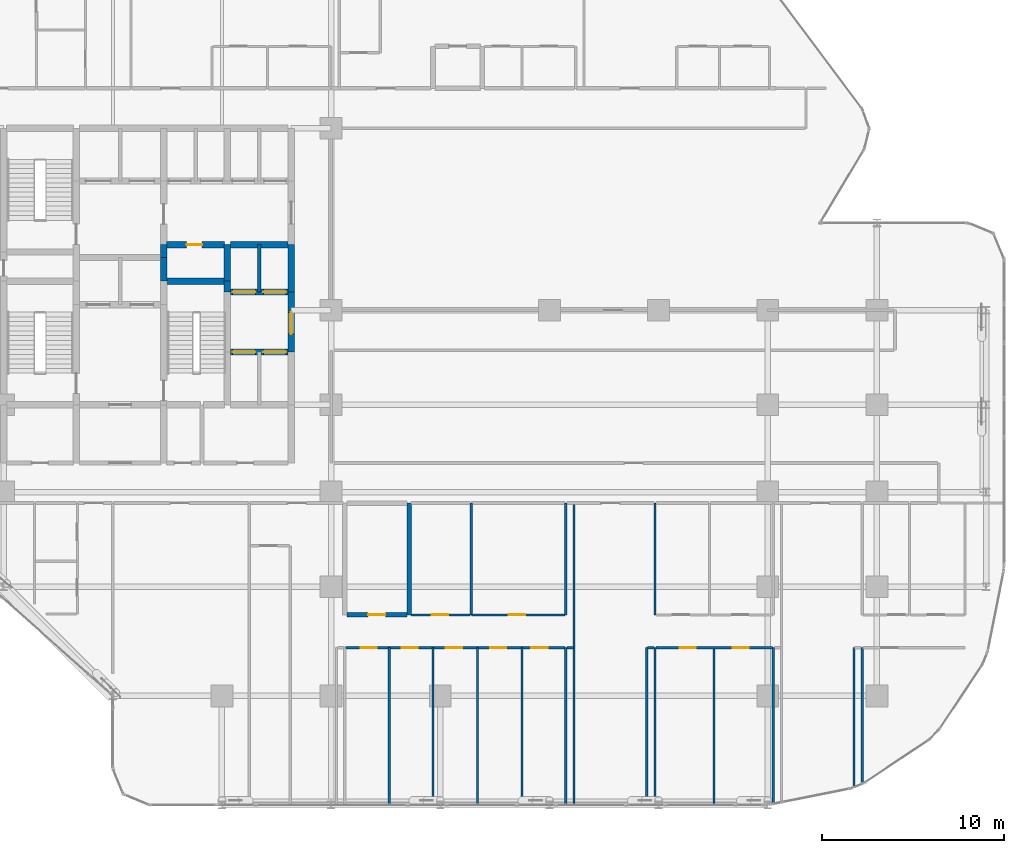
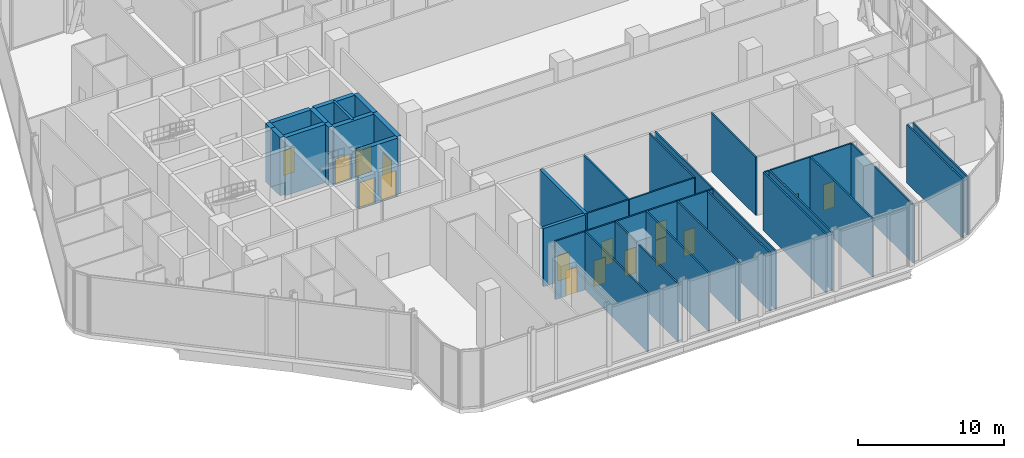
# One storey, part 31 of 36: 35 walls, 16 doors, 16 openings.
"""IFC4 building model written with IfcOpenShell, lengths in metres."""

from ifc_helpers import new_model, si_unit, direction, frame, frame_2d, origin, place, context, subcontext, project, spatial, rectangle, extrude, material, layer, layer_set, type_object, element, fill, save


model = new_model("IFC4")

# Units and contexts
model_context = context("Model", 3, precision=1e-05, world=origin(), true_north=direction((0.0, 1.0)))
body_context = subcontext(model_context, "Body", "Model", "MODEL_VIEW")
ifc_project = project(units=[si_unit("LENGTHUNIT", "METRE"), si_unit("AREAUNIT", "SQUARE_METRE"), si_unit("VOLUMEUNIT", "CUBIC_METRE"), si_unit("PLANEANGLEUNIT", "RADIAN"), si_unit("MASSUNIT", "GRAM", prefix="KILO")], contexts=[model_context])

# Site, building, storey
site_placement = place(None, origin())
site = spatial("IfcSite", under=ifc_project, at=site_placement, CompositionType="ELEMENT")
building_placement = place(site_placement, origin())
building = spatial("IfcBuilding", under=site, at=building_placement, Name="Keshet Zoharim Tower", CompositionType="ELEMENT")
storey_placement = place(building_placement, frame((0.0, 0.0, 81.199951171875)))
storey = spatial("IfcBuildingStorey", under=building, at=storey_placement, Name="L19", CompositionType="ELEMENT", Elevation=81.199951171875)

# Walls
ifc_material_1 = material(Name="Concrete C60/75", Category="concrete")
ifc_layer_1 = layer(ifc_material_1, 0.35009765625)
ifc_layer_set_1 = layer_set([ifc_layer_1], Name="Concrete C60/75")
wall_type_1 = type_object("IfcWallType", Name="WL-CORE-350", PredefinedType="SHEAR", material=ifc_layer_set_1)
wall_1_placement = place(storey_placement, frame((23.800048828125, 29.5, 0.0), z_axis=(0.0, 0.0, 1.0), x_axis=(0.0, 1.0, 0.0)))
element("IfcWall", 1, at=wall_1_placement, inside=storey, type_object=wall_type_1, Name="L19 Core Shear Wall 037", PredefinedType="SHEAR", context=body_context, shape_type="SweptSolid", body=[
    extrude(rectangle(XDim=1.300048828125, YDim=0.35009765625, at=frame_2d((0.64990234375, 0.0))), origin(), (0.0, 0.0, 1.0), 4.885009765625),
])
wall_2_placement = place(storey_placement, frame((23.800048828125, 30.800048828125, 0.0), z_axis=(0.0, 0.0, 1.0), x_axis=(0.0, 1.0, 0.0)))
element("IfcWall", 2, at=wall_2_placement, inside=storey, type_object=wall_type_1, Name="L19 Core Shear Wall 038", PredefinedType="SHEAR", context=body_context, shape_type="SweptSolid", body=[
    extrude(rectangle(XDim=0.699951171875, YDim=0.35009765625, at=frame_2d((0.35009765625, 0.0))), origin(), (0.0, 0.0, 1.0), 4.885009765625),
])
wall_3_placement = place(storey_placement, frame((27.300048828125, 28.89990234375, 0.0), z_axis=(0.0, 0.0, 1.0), x_axis=(0.0, 1.0, 0.0)))
element("IfcWall", 3, at=wall_3_placement, inside=storey, type_object=wall_type_1, Name="L19 Core Shear Wall 048", PredefinedType="SHEAR", context=body_context, shape_type="SweptSolid", body=[
    extrude(rectangle(XDim=0.60009765625, YDim=0.35009765625, at=frame_2d((0.300048828125, 0.0))), origin(), (0.0, 0.0, 1.0), 4.885009765625),
])
wall_4_placement = place(storey_placement, frame((27.300048828125, 29.5, 0.0), z_axis=(0.0, 0.0, 1.0), x_axis=(0.0, 1.0, 0.0)))
element("IfcWall", 4, at=wall_4_placement, inside=storey, type_object=wall_type_1, Name="L19 Core Shear Wall 049", PredefinedType="SHEAR", context=body_context, shape_type="SweptSolid", body=[
    extrude(rectangle(XDim=2.0, YDim=0.35009765625, at=frame_2d((1.0, 0.0))), origin(), (0.0, 0.0, 1.0), 4.885009765625),
])

# Wall, opening, door
wall_5_placement = place(storey_placement, frame((30.800048828125, 25.60009765625, 0.0), z_axis=(0.0, 0.0, 1.0), x_axis=(0.0, 1.0, 0.0)))
wall_5 = element("IfcWall", 5, at=wall_5_placement, inside=storey, type_object=wall_type_1, Name="L19 Core Shear Wall 061", PredefinedType="SHEAR", context=body_context, shape_type="SweptSolid", body=[
    extrude(rectangle(XDim=3.2998046875, YDim=0.35009765625, at=frame_2d((1.64990234375, 0.0))), origin(), (0.0, 0.0, 1.0), 4.885009765625),
])
opening_1_placement = place(wall_5_placement, frame((0.97802734375, 0.0, 0.0)))
opening_1 = element("IfcOpeningElement", 6, at=opening_1_placement, cuts=wall_5, Name="Opening D-F612", PredefinedType="OPENING", context=body_context, shape_type="SweptSolid", body=[
    extrude(rectangle(XDim=1.199951171875, YDim=2.199951171875, at=frame_2d((0.60009765625, 1.10009765625))), frame((0.0, 0.18505859375, 0.0), z_axis=(0.0, -1.0, 0.0), x_axis=(1.0, 0.0, 0.0)), (0.0, 0.0, 1.0), 0.3701171875),
])
ifc_material_2 = material(Name="Hardwood Timber", Category="wood")
door_type_1 = type_object("IfcDoorType", Name="DR-FD60-120", OperationType="NOTDEFINED", PredefinedType="DOOR", material=ifc_material_2)
door_1_placement = place(opening_1_placement, origin())
door_1 = element("IfcDoor", 7, at=door_1_placement, inside=storey, type_object=door_type_1, Name="L19 East Lift Lobby Fire Door", OperationType="SINGLE_SWING_LEFT", OverallHeight=2.199951171875, OverallWidth=1.199951171875, PredefinedType="DOOR", context=body_context, shape_type="SweptSolid", body=[
    extrude(rectangle(XDim=1.199951171875, YDim=2.199951171875, at=frame_2d((0.60009765625, 1.10009765625))), frame((0.0, 0.02490234375, 0.0), z_axis=(0.0, -1.0, 0.0), x_axis=(1.0, 0.0, 0.0)), (0.0, 0.0, 1.0), 0.050048828125),
])
fill(opening_1, door_1)

# Wall
wall_6_placement = place(storey_placement, frame((30.800048828125, 28.89990234375, 0.0), z_axis=(0.0, 0.0, 1.0), x_axis=(0.0, 1.0, 0.0)))
element("IfcWall", 8, at=wall_6_placement, inside=storey, type_object=wall_type_1, Name="L19 Core Shear Wall 062", PredefinedType="SHEAR", context=body_context, shape_type="SweptSolid", body=[
    extrude(rectangle(XDim=2.60009765625, YDim=0.35009765625, at=frame_2d((1.300048828125, 0.0))), origin(), (0.0, 0.0, 1.0), 4.885009765625),
])

# Wall, openings, doors
wall_7_placement = place(storey_placement, frame((27.4599609375, 25.60009765625, 0.0), z_axis=(0.0, 0.0, 1.0), x_axis=(1.0, 0.0, 0.0)))
wall_7 = element("IfcWall", 9, at=wall_7_placement, inside=storey, type_object=wall_type_1, Name="L19 Core Shear Wall 166", PredefinedType="SHEAR", context=body_context, shape_type="SweptSolid", body=[
    extrude(rectangle(XDim=3.179931640625, YDim=0.35009765625, at=frame_2d((1.58984375, 0.0))), origin(), (0.0, 0.0, 1.0), 4.885009765625),
])
opening_2_placement = place(wall_7_placement, frame((0.1201171875, 0.0, 0.0)))
opening_2 = element("IfcOpeningElement", 10, at=opening_2_placement, cuts=wall_7, Name="Opening LD-01", PredefinedType="OPENING", context=body_context, shape_type="SweptSolid", body=[
    extrude(rectangle(XDim=1.25, YDim=2.199951171875, at=frame_2d((0.625, 1.10009765625))), frame((0.0, 0.18505859375, 0.0), z_axis=(0.0, -1.0, 0.0), x_axis=(1.0, 0.0, 0.0)), (0.0, 0.0, 1.0), 0.3701171875),
])
opening_3_placement = place(wall_7_placement, frame((1.81005859375, 0.0, 0.0)))
opening_3 = element("IfcOpeningElement", 11, at=opening_3_placement, cuts=wall_7, Name="Opening LD-01", PredefinedType="OPENING", context=body_context, shape_type="SweptSolid", body=[
    extrude(rectangle(XDim=1.25, YDim=2.199951171875, at=frame_2d((0.625, 1.10009765625))), frame((0.0, 0.18505859375, 0.0), z_axis=(0.0, -1.0, 0.0), x_axis=(1.0, 0.0, 0.0)), (0.0, 0.0, 1.0), 0.3701171875),
])
ifc_material_3 = material(Name="Steel S355", Category="steel")
door_type_2 = type_object("IfcDoorType", Name="DR-LD01-125", OperationType="DOUBLE_DOOR_SLIDING", PredefinedType="DOOR", material=ifc_material_3)
door_2_placement = place(opening_2_placement, origin())
door_2 = element("IfcDoor", 12, at=door_2_placement, inside=storey, type_object=door_type_2, Name="L19 Passenger Lift Landing Door LF-07", OperationType="DOUBLE_DOOR_SLIDING", OverallHeight=2.199951171875, OverallWidth=1.25, PredefinedType="DOOR", context=body_context, shape_type="SweptSolid", body=[
    extrude(rectangle(XDim=1.25, YDim=2.199951171875, at=frame_2d((0.625, 1.10009765625))), frame((0.0, 0.02490234375, 0.0), z_axis=(0.0, -1.0, 0.0), x_axis=(1.0, 0.0, 0.0)), (0.0, 0.0, 1.0), 0.050048828125),
])
fill(opening_2, door_2)
door_3_placement = place(opening_3_placement, origin())
door_3 = element("IfcDoor", 13, at=door_3_placement, inside=storey, type_object=door_type_2, Name="L19 Passenger Lift Landing Door LF-08", OperationType="DOUBLE_DOOR_SLIDING", OverallHeight=2.199951171875, OverallWidth=1.25, PredefinedType="DOOR", context=body_context, shape_type="SweptSolid", body=[
    extrude(rectangle(XDim=1.25, YDim=2.199951171875, at=frame_2d((0.625, 1.10009765625))), frame((0.0, 0.02490234375, 0.0), z_axis=(0.0, -1.0, 0.0), x_axis=(1.0, 0.0, 0.0)), (0.0, 0.0, 1.0), 0.050048828125),
])
fill(opening_3, door_3)

wall_8_placement = place(storey_placement, frame((27.4599609375, 28.89990234375, 0.0), z_axis=(0.0, 0.0, 1.0), x_axis=(1.0, 0.0, 0.0)))
wall_8 = element("IfcWall", 14, at=wall_8_placement, inside=storey, type_object=wall_type_1, Name="L19 Core Shear Wall 176", PredefinedType="SHEAR", context=body_context, shape_type="SweptSolid", body=[
    extrude(rectangle(XDim=3.179931640625, YDim=0.35009765625, at=frame_2d((1.58984375, 0.0))), origin(), (0.0, 0.0, 1.0), 4.885009765625),
])
opening_4_placement = place(wall_8_placement, frame((0.1201171875, 0.0, 0.0)))
opening_4 = element("IfcOpeningElement", 15, at=opening_4_placement, cuts=wall_8, Name="Opening LD-01", PredefinedType="OPENING", context=body_context, shape_type="SweptSolid", body=[
    extrude(rectangle(XDim=1.25, YDim=2.199951171875, at=frame_2d((0.625, 1.10009765625))), frame((0.0, 0.18505859375, 0.0), z_axis=(0.0, -1.0, 0.0), x_axis=(1.0, 0.0, 0.0)), (0.0, 0.0, 1.0), 0.3701171875),
])
opening_5_placement = place(wall_8_placement, frame((1.81005859375, 0.0, 0.0)))
opening_5 = element("IfcOpeningElement", 16, at=opening_5_placement, cuts=wall_8, Name="Opening LD-01", PredefinedType="OPENING", context=body_context, shape_type="SweptSolid", body=[
    extrude(rectangle(XDim=1.25, YDim=2.199951171875, at=frame_2d((0.625, 1.10009765625))), frame((0.0, 0.18505859375, 0.0), z_axis=(0.0, -1.0, 0.0), x_axis=(1.0, 0.0, 0.0)), (0.0, 0.0, 1.0), 0.3701171875),
])
door_4_placement = place(opening_4_placement, origin())
door_4 = element("IfcDoor", 17, at=door_4_placement, inside=storey, type_object=door_type_2, Name="L19 Passenger Lift Landing Door LF-05", OperationType="DOUBLE_DOOR_SLIDING", OverallHeight=2.199951171875, OverallWidth=1.25, PredefinedType="DOOR", context=body_context, shape_type="SweptSolid", body=[
    extrude(rectangle(XDim=1.25, YDim=2.199951171875, at=frame_2d((0.625, 1.10009765625))), frame((0.0, 0.02490234375, 0.0), z_axis=(0.0, -1.0, 0.0), x_axis=(1.0, 0.0, 0.0)), (0.0, 0.0, 1.0), 0.050048828125),
])
fill(opening_4, door_4)
door_5_placement = place(opening_5_placement, origin())
door_5 = element("IfcDoor", 18, at=door_5_placement, inside=storey, type_object=door_type_2, Name="L19 Passenger Lift Landing Door LF-06", OperationType="DOUBLE_DOOR_SLIDING", OverallHeight=2.199951171875, OverallWidth=1.25, PredefinedType="DOOR", context=body_context, shape_type="SweptSolid", body=[
    extrude(rectangle(XDim=1.25, YDim=2.199951171875, at=frame_2d((0.625, 1.10009765625))), frame((0.0, 0.02490234375, 0.0), z_axis=(0.0, -1.0, 0.0), x_axis=(1.0, 0.0, 0.0)), (0.0, 0.0, 1.0), 0.050048828125),
])
fill(opening_5, door_5)

# Wall
wall_9_placement = place(storey_placement, frame((23.9599609375, 29.5, 0.0), z_axis=(0.0, 0.0, 1.0), x_axis=(1.0, 0.0, 0.0)))
element("IfcWall", 19, at=wall_9_placement, inside=storey, type_object=wall_type_1, Name="L19 Core Shear Wall 178", PredefinedType="SHEAR", context=body_context, shape_type="SweptSolid", body=[
    extrude(rectangle(XDim=3.179931640625, YDim=0.35009765625, at=frame_2d((1.58984375, 0.0))), origin(), (0.0, 0.0, 1.0), 4.885009765625),
])

# Wall, opening, door
wall_10_placement = place(storey_placement, frame((23.9599609375, 31.5, 0.0), z_axis=(0.0, 0.0, 1.0), x_axis=(1.0, 0.0, 0.0)))
wall_10 = element("IfcWall", 20, at=wall_10_placement, inside=storey, type_object=wall_type_1, Name="L19 Core Shear Wall 183", PredefinedType="SHEAR", context=body_context, shape_type="SweptSolid", body=[
    extrude(rectangle(XDim=3.179931640625, YDim=0.35009765625, at=frame_2d((1.58984375, 0.0))), origin(), (0.0, 0.0, 1.0), 4.885009765625),
])
opening_6_placement = place(wall_10_placement, frame((1.093994140625, 0.0, 0.0)))
opening_6 = element("IfcOpeningElement", 21, at=opening_6_placement, cuts=wall_10, Name="Opening D-RS85", PredefinedType="OPENING", context=body_context, shape_type="SweptSolid", body=[
    extrude(rectangle(XDim=0.85009765625, YDim=2.10009765625, at=frame_2d((0.425048828125, 1.050048828125))), frame((0.0, 0.18505859375, 0.0), z_axis=(0.0, -1.0, 0.0), x_axis=(1.0, 0.0, 0.0)), (0.0, 0.0, 1.0), 0.3701171875),
])
door_type_3 = type_object("IfcDoorType", Name="DR-RIS-085", OperationType="NOTDEFINED", PredefinedType="DOOR", material=ifc_material_2)
door_6_placement = place(opening_6_placement, origin())
door_6 = element("IfcDoor", 22, at=door_6_placement, inside=storey, type_object=door_type_3, Name="L19 Telecom Riser Access Cupboard Door", OperationType="SINGLE_SWING_RIGHT", OverallHeight=2.10009765625, OverallWidth=0.85009765625, PredefinedType="DOOR", context=body_context, shape_type="SweptSolid", body=[
    extrude(rectangle(XDim=0.85009765625, YDim=2.10009765625, at=frame_2d((0.425048828125, 1.050048828125))), frame((0.0, 0.02490234375, 0.0), z_axis=(0.0, -1.0, 0.0), x_axis=(1.0, 0.0, 0.0)), (0.0, 0.0, 1.0), 0.050048828125),
])
fill(opening_6, door_6)

# Walls
wall_11_placement = place(storey_placement, frame((27.4599609375, 31.5, 0.0), z_axis=(0.0, 0.0, 1.0), x_axis=(1.0, 0.0, 0.0)))
element("IfcWall", 23, at=wall_11_placement, inside=storey, type_object=wall_type_1, Name="L19 Core Shear Wall 184", PredefinedType="SHEAR", context=body_context, shape_type="SweptSolid", body=[
    extrude(rectangle(XDim=3.179931640625, YDim=0.35009765625, at=frame_2d((1.58984375, 0.0))), origin(), (0.0, 0.0, 1.0), 4.885009765625),
])
ifc_material_4 = material(Name="Concrete C50/60", Category="concrete")
ifc_layer_2 = layer(ifc_material_4, 0.199951171875)
ifc_layer_set_2 = layer_set([ifc_layer_2], Name="Concrete C50/60")
wall_type_2 = type_object("IfcWallType", Name="WL-FIRE-200", PredefinedType="STANDARD", material=ifc_layer_set_2)
wall_12_placement = place(storey_placement, frame((29.050048828125, 28.89990234375, 0.0), z_axis=(0.0, 0.0, 1.0), x_axis=(0.0, 1.0, 0.0)))
element("IfcWall", 24, at=wall_12_placement, inside=storey, type_object=wall_type_2, Name="L19 Interior Wall 054", PredefinedType="STANDARD", context=body_context, shape_type="SweptSolid", body=[
    extrude(rectangle(XDim=2.60009765625, YDim=0.199951171875, at=frame_2d((1.300048828125, 0.0))), origin(), (0.0, 0.0, 1.0), 4.885009765625),
])
ifc_layer_3 = layer(ifc_material_4, 0.25)
ifc_layer_set_3 = layer_set([ifc_layer_3], Name="Concrete C50/60")
wall_type_3 = type_object("IfcWallType", Name="WL-MAMAD-250", PredefinedType="STANDARD", material=ifc_layer_set_3)
wall_13_placement = place(storey_placement, frame((37.300048828125, 11.14990234375, 0.0), z_axis=(0.0, 0.0, 1.0), x_axis=(0.0, 1.0, 0.0)))
element("IfcWall", 25, at=wall_13_placement, inside=storey, type_object=wall_type_3, Name="L19 Interior Wall 077", PredefinedType="STANDARD", context=body_context, shape_type="SweptSolid", body=[
    extrude(rectangle(XDim=6.150146484375, YDim=0.25, at=frame_2d((3.0751953125, 0.0))), origin(), (0.0, 0.0, 1.0), 4.885009765625),
])

# Wall, opening, door
wall_14_placement = place(storey_placement, frame((33.860107421875, 11.14990234375, 0.0), z_axis=(0.0, 0.0, 1.0), x_axis=(1.0, 0.0, 0.0)))
wall_14 = element("IfcWall", 26, at=wall_14_placement, inside=storey, type_object=wall_type_3, Name="L19 Interior Wall 124", PredefinedType="STANDARD", context=body_context, shape_type="SweptSolid", body=[
    extrude(rectangle(XDim=3.305908203125, YDim=0.25, at=frame_2d((1.65283203125, 0.0))), origin(), (0.0, 0.0, 1.0), 4.885009765625),
])
opening_7_placement = place(wall_14_placement, frame((1.177978515625, 0.0, 0.0)))
opening_7 = element("IfcOpeningElement", 27, at=opening_7_placement, cuts=wall_14, Name="Opening D-F695", PredefinedType="OPENING", context=body_context, shape_type="SweptSolid", body=[
    extrude(rectangle(XDim=0.949951171875, YDim=2.14990234375, at=frame_2d((0.47509765625, 1.074951171875))), frame((0.0, 0.135009765625, 0.0), z_axis=(0.0, -1.0, 0.0), x_axis=(1.0, 0.0, 0.0)), (0.0, 0.0, 1.0), 0.27001953125),
])
door_type_4 = type_object("IfcDoorType", Name="DR-FD60-095", OperationType="NOTDEFINED", PredefinedType="DOOR", material=ifc_material_2)
door_7_placement = place(opening_7_placement, origin())
door_7 = element("IfcDoor", 28, at=door_7_placement, inside=storey, type_object=door_type_4, Name="Apartment 1902 Study and Shelter Room Door", OperationType="SINGLE_SWING_LEFT", OverallHeight=2.14990234375, OverallWidth=0.949951171875, PredefinedType="DOOR", context=body_context, shape_type="SweptSolid", body=[
    extrude(rectangle(XDim=0.949951171875, YDim=2.14990234375, at=frame_2d((0.47509765625, 1.074951171875))), frame((0.0, 0.02490234375, 0.0), z_axis=(0.0, -1.0, 0.0), x_axis=(1.0, 0.0, 0.0)), (0.0, 0.0, 1.0), 0.050048828125),
])
fill(opening_7, door_7)

# Walls
ifc_material_5 = material(Name="Gypsum Plasterboard", Category="gypsum")
ifc_layer_4 = layer(ifc_material_5, 0.1201171875)
ifc_layer_set_4 = layer_set([ifc_layer_4], Name="Gypsum Plasterboard")
wall_type_4 = type_object("IfcWallType", Name="WL-PART-120", PredefinedType="PARTITIONING", material=ifc_layer_set_4)
for number, where, z_axis, x_axis, name in (
    (29, (36.199951171875, 0.7099609375, 0.0), (0.0, 0.0, 1.0), (0.0, 1.0, 0.0), "L19 Interior Wall 076"),
    (30, (38.60009765625, 0.7099609375, 0.0), (0.0, 0.0, 1.0), (0.0, 1.0, 0.0), "L19 Interior Wall 079"),
    (31, (41.050048828125, 0.7099609375, 0.0), (0.0, 0.0, 1.0), (0.0, 1.0, 0.0), "L19 Interior Wall 083"),
    (32, (43.5, 0.7099609375, 0.0), (0.0, 0.0, 1.0), (0.0, 1.0, 0.0), "L19 Interior Wall 086"),
    (33, (45.89990234375, 0.7099609375, 0.0), (0.0, 0.0, 1.0), (0.0, 1.0, 0.0), "L19 Interior Wall 089"),
):
    element("IfcWall", number, at=place(storey_placement, frame(where, z_axis=z_axis, x_axis=x_axis)), inside=storey, type_object=wall_type_4, Name=name, PredefinedType="PARTITIONING", context=body_context, shape_type="SweptSolid", body=[
        extrude(rectangle(XDim=8.64013671875, YDim=0.1201171875, at=frame_2d((4.320068359375, 0.0))), origin(), (0.0, 0.0, 1.0), 4.885009765625),
    ])
wall_15_placement = place(storey_placement, frame((45.89990234375, 11.14990234375, 0.0), z_axis=(0.0, 0.0, 1.0), x_axis=(0.0, 1.0, 0.0)))
element("IfcWall", 34, at=wall_15_placement, inside=storey, type_object=wall_type_4, Name="L19 Interior Wall 090", PredefinedType="PARTITIONING", context=body_context, shape_type="SweptSolid", body=[
    extrude(rectangle(XDim=6.150146484375, YDim=0.1201171875, at=frame_2d((3.0751953125, 0.0))), origin(), (0.0, 0.0, 1.0), 4.885009765625),
])
wall_16_placement = place(storey_placement, frame((46.35009765625, 0.7099609375, 0.0), z_axis=(0.0, 0.0, 1.0), x_axis=(0.0, 1.0, 0.0)))
element("IfcWall", 35, at=wall_16_placement, inside=storey, type_object=wall_type_4, Name="L19 Interior Wall 091", PredefinedType="PARTITIONING", context=body_context, shape_type="SweptSolid", body=[
    extrude(rectangle(XDim=16.590087890625, YDim=0.1201171875, at=frame_2d((8.294921875, 0.0))), origin(), (0.0, 0.0, 1.0), 4.885009765625),
])
for number, where, z_axis, x_axis, name in (
    (36, (50.35009765625, 0.7099609375, 0.0), (0.0, 0.0, 1.0), (0.0, 1.0, 0.0), "L19 Interior Wall 095"),
    (37, (50.800048828125, 0.7099609375, 0.0), (0.0, 0.0, 1.0), (0.0, 1.0, 0.0), "L19 Interior Wall 096"),
):
    element("IfcWall", number, at=place(storey_placement, frame(where, z_axis=z_axis, x_axis=x_axis)), inside=storey, type_object=wall_type_4, Name=name, PredefinedType="PARTITIONING", context=body_context, shape_type="SweptSolid", body=[
        extrude(rectangle(XDim=8.64013671875, YDim=0.1201171875, at=frame_2d((4.320068359375, 0.0))), origin(), (0.0, 0.0, 1.0), 4.885009765625),
    ])
wall_17_placement = place(storey_placement, frame((50.800048828125, 11.14990234375, 0.0), z_axis=(0.0, 0.0, 1.0), x_axis=(0.0, 1.0, 0.0)))
element("IfcWall", 38, at=wall_17_placement, inside=storey, type_object=wall_type_4, Name="L19 Interior Wall 097", PredefinedType="PARTITIONING", context=body_context, shape_type="SweptSolid", body=[
    extrude(rectangle(XDim=6.150146484375, YDim=0.1201171875, at=frame_2d((3.0751953125, 0.0))), origin(), (0.0, 0.0, 1.0), 4.885009765625),
])
wall_18_placement = place(storey_placement, frame((54.050048828125, 0.7099609375, 0.0), z_axis=(0.0, 0.0, 1.0), x_axis=(0.0, 1.0, 0.0)))
element("IfcWall", 39, at=wall_18_placement, inside=storey, type_object=wall_type_4, Name="L19 Interior Wall 102", PredefinedType="PARTITIONING", context=body_context, shape_type="SweptSolid", body=[
    extrude(rectangle(XDim=8.64013671875, YDim=0.1201171875, at=frame_2d((4.320068359375, 0.0))), origin(), (0.0, 0.0, 1.0), 4.885009765625),
])
wall_19_placement = place(storey_placement, frame((57.300048828125, 0.76904296875, 0.0), z_axis=(0.0, 0.0, 1.0), x_axis=(0.0, 1.0, 0.0)))
element("IfcWall", 40, at=wall_19_placement, inside=storey, type_object=wall_type_4, Name="L19 Interior Wall 105", PredefinedType="PARTITIONING", context=body_context, shape_type="SweptSolid", body=[
    extrude(rectangle(XDim=8.5810546875, YDim=0.1201171875, at=frame_2d((4.29052734375, 0.0))), origin(), (0.0, 0.0, 1.0), 4.885009765625),
])
wall_20_placement = place(storey_placement, frame((61.75, 1.68994140625, 0.0), z_axis=(0.0, 0.0, 1.0), x_axis=(0.0, 1.0, 0.0)))
element("IfcWall", 41, at=wall_20_placement, inside=storey, type_object=wall_type_4, Name="L19 Interior Wall 109", PredefinedType="PARTITIONING", context=body_context, shape_type="SweptSolid", body=[
    extrude(rectangle(XDim=7.66015625, YDim=0.1201171875, at=frame_2d((3.830078125, 0.0))), origin(), (0.0, 0.0, 1.0), 4.885009765625),
])
wall_21_placement = place(storey_placement, frame((62.199951171875, 1.876953125, 0.0), z_axis=(0.0, 0.0, 1.0), x_axis=(0.0, 1.0, 0.0)))
element("IfcWall", 42, at=wall_21_placement, inside=storey, type_object=wall_type_4, Name="L19 Interior Wall 110", PredefinedType="PARTITIONING", context=body_context, shape_type="SweptSolid", body=[
    extrude(rectangle(XDim=7.47314453125, YDim=0.1201171875, at=frame_2d((3.736572265625, 0.0))), origin(), (0.0, 0.0, 1.0), 4.885009765625),
])

# Wall, openings, doors
wall_22_placement = place(storey_placement, frame((33.794921875, 9.35009765625, 0.0), z_axis=(0.0, 0.0, 1.0), x_axis=(1.0, 0.0, 0.0)))
wall_22 = element("IfcWall", 43, at=wall_22_placement, inside=storey, type_object=wall_type_4, Name="L19 Interior Wall 117", PredefinedType="PARTITIONING", context=body_context, shape_type="SweptSolid", body=[
    extrude(rectangle(XDim=12.070068359375, YDim=0.1201171875, at=frame_2d((6.03515625, 0.0))), origin(), (0.0, 0.0, 1.0), 4.885009765625),
])
opening_8_placement = place(wall_22_placement, frame((0.825927734375, 0.0, 0.0)))
opening_8 = element("IfcOpeningElement", 44, at=opening_8_placement, cuts=wall_22, Name="Opening D-IN90", PredefinedType="OPENING", context=body_context, shape_type="SweptSolid", body=[
    extrude(rectangle(XDim=0.89990234375, YDim=2.14990234375, at=frame_2d((0.449951171875, 1.074951171875))), frame((0.0, 0.070068359375, 0.0), z_axis=(0.0, -1.0, 0.0), x_axis=(1.0, 0.0, 0.0)), (0.0, 0.0, 1.0), 0.14013671875),
])
opening_9_placement = place(wall_22_placement, frame((3.080078125, 0.0, 0.0)))
opening_9 = element("IfcOpeningElement", 45, at=opening_9_placement, cuts=wall_22, Name="Opening D-IN90", PredefinedType="OPENING", context=body_context, shape_type="SweptSolid", body=[
    extrude(rectangle(XDim=0.89990234375, YDim=2.14990234375, at=frame_2d((0.449951171875, 1.074951171875))), frame((0.0, 0.070068359375, 0.0), z_axis=(0.0, -1.0, 0.0), x_axis=(1.0, 0.0, 0.0)), (0.0, 0.0, 1.0), 0.14013671875),
])
opening_10_placement = place(wall_22_placement, frame((5.511962890625, 0.0, 0.0)))
opening_10 = element("IfcOpeningElement", 46, at=opening_10_placement, cuts=wall_22, Name="Opening D-IN90", PredefinedType="OPENING", context=body_context, shape_type="SweptSolid", body=[
    extrude(rectangle(XDim=0.89990234375, YDim=2.14990234375, at=frame_2d((0.449951171875, 1.074951171875))), frame((0.0, 0.070068359375, 0.0), z_axis=(0.0, -1.0, 0.0), x_axis=(1.0, 0.0, 0.0)), (0.0, 0.0, 1.0), 0.14013671875),
])
opening_11_placement = place(wall_22_placement, frame((7.944091796875, 0.0, 0.0)))
opening_11 = element("IfcOpeningElement", 47, at=opening_11_placement, cuts=wall_22, Name="Opening D-IN90", PredefinedType="OPENING", context=body_context, shape_type="SweptSolid", body=[
    extrude(rectangle(XDim=0.89990234375, YDim=2.14990234375, at=frame_2d((0.449951171875, 1.074951171875))), frame((0.0, 0.070068359375, 0.0), z_axis=(0.0, -1.0, 0.0), x_axis=(1.0, 0.0, 0.0)), (0.0, 0.0, 1.0), 0.14013671875),
])
opening_12_placement = place(wall_22_placement, frame((10.2041015625, 0.0, 0.0)))
opening_12 = element("IfcOpeningElement", 48, at=opening_12_placement, cuts=wall_22, Name="Opening D-IN90", PredefinedType="OPENING", context=body_context, shape_type="SweptSolid", body=[
    extrude(rectangle(XDim=0.89990234375, YDim=2.14990234375, at=frame_2d((0.449951171875, 1.074951171875))), frame((0.0, 0.070068359375, 0.0), z_axis=(0.0, -1.0, 0.0), x_axis=(1.0, 0.0, 0.0)), (0.0, 0.0, 1.0), 0.14013671875),
])
door_type_5 = type_object("IfcDoorType", Name="DR-INT-090", OperationType="NOTDEFINED", PredefinedType="DOOR", material=ifc_material_2)
door_8_placement = place(opening_8_placement, origin())
door_8 = element("IfcDoor", 49, at=door_8_placement, inside=storey, type_object=door_type_5, Name="Apartment 1902 Bedroom 1 Door", OperationType="SINGLE_SWING_LEFT", OverallHeight=2.14990234375, OverallWidth=0.89990234375, PredefinedType="DOOR", context=body_context, shape_type="SweptSolid", body=[
    extrude(rectangle(XDim=0.89990234375, YDim=2.14990234375, at=frame_2d((0.449951171875, 1.074951171875))), frame((0.0, 0.02490234375, 0.0), z_axis=(0.0, -1.0, 0.0), x_axis=(1.0, 0.0, 0.0)), (0.0, 0.0, 1.0), 0.050048828125),
])
fill(opening_8, door_8)
door_9_placement = place(opening_9_placement, origin())
door_9 = element("IfcDoor", 50, at=door_9_placement, inside=storey, type_object=door_type_5, Name="Apartment 1902 Bedroom 2 Door", OperationType="SINGLE_SWING_RIGHT", OverallHeight=2.14990234375, OverallWidth=0.89990234375, PredefinedType="DOOR", context=body_context, shape_type="SweptSolid", body=[
    extrude(rectangle(XDim=0.89990234375, YDim=2.14990234375, at=frame_2d((0.449951171875, 1.074951171875))), frame((0.0, 0.02490234375, 0.0), z_axis=(0.0, -1.0, 0.0), x_axis=(1.0, 0.0, 0.0)), (0.0, 0.0, 1.0), 0.050048828125),
])
fill(opening_9, door_9)
door_10_placement = place(opening_10_placement, origin())
door_10 = element("IfcDoor", 51, at=door_10_placement, inside=storey, type_object=door_type_5, Name="Apartment 1902 Bedroom 3 Door", OperationType="SINGLE_SWING_LEFT", OverallHeight=2.14990234375, OverallWidth=0.89990234375, PredefinedType="DOOR", context=body_context, shape_type="SweptSolid", body=[
    extrude(rectangle(XDim=0.89990234375, YDim=2.14990234375, at=frame_2d((0.449951171875, 1.074951171875))), frame((0.0, 0.02490234375, 0.0), z_axis=(0.0, -1.0, 0.0), x_axis=(1.0, 0.0, 0.0)), (0.0, 0.0, 1.0), 0.050048828125),
])
fill(opening_10, door_10)
door_11_placement = place(opening_11_placement, origin())
door_11 = element("IfcDoor", 52, at=door_11_placement, inside=storey, type_object=door_type_5, Name="Apartment 1902 Bedroom 4 Door", OperationType="SINGLE_SWING_RIGHT", OverallHeight=2.14990234375, OverallWidth=0.89990234375, PredefinedType="DOOR", context=body_context, shape_type="SweptSolid", body=[
    extrude(rectangle(XDim=0.89990234375, YDim=2.14990234375, at=frame_2d((0.449951171875, 1.074951171875))), frame((0.0, 0.02490234375, 0.0), z_axis=(0.0, -1.0, 0.0), x_axis=(1.0, 0.0, 0.0)), (0.0, 0.0, 1.0), 0.050048828125),
])
fill(opening_11, door_11)
door_12_placement = place(opening_12_placement, origin())
door_12 = element("IfcDoor", 53, at=door_12_placement, inside=storey, type_object=door_type_5, Name="Apartment 1902 Bedroom 5 Door", OperationType="SINGLE_SWING_LEFT", OverallHeight=2.14990234375, OverallWidth=0.89990234375, PredefinedType="DOOR", context=body_context, shape_type="SweptSolid", body=[
    extrude(rectangle(XDim=0.89990234375, YDim=2.14990234375, at=frame_2d((0.449951171875, 1.074951171875))), frame((0.0, 0.02490234375, 0.0), z_axis=(0.0, -1.0, 0.0), x_axis=(1.0, 0.0, 0.0)), (0.0, 0.0, 1.0), 0.050048828125),
])
fill(opening_12, door_12)

# Walls
for number, where, z_axis, x_axis, name in (
    (54, (45.955078125, 9.35009765625, 0.0), (0.0, 0.0, 1.0), (1.0, 0.0, 0.0), "L19 Interior Wall 118"),
    (55, (50.39501953125, 9.35009765625, 0.0), (0.0, 0.0, 1.0), (1.0, 0.0, 0.0), "L19 Interior Wall 119"),
):
    element("IfcWall", number, at=place(storey_placement, frame(where, z_axis=z_axis, x_axis=x_axis)), inside=storey, type_object=wall_type_4, Name=name, PredefinedType="PARTITIONING", context=body_context, shape_type="SweptSolid", body=[
        extrude(rectangle(XDim=0.35986328125, YDim=0.1201171875, at=frame_2d((0.179931640625, 0.0))), origin(), (0.0, 0.0, 1.0), 4.885009765625),
    ])

# Wall, openings, doors
wall_23_placement = place(storey_placement, frame((50.844970703125, 9.35009765625, 0.0), z_axis=(0.0, 0.0, 1.0), x_axis=(1.0, 0.0, 0.0)))
wall_23 = element("IfcWall", 56, at=wall_23_placement, inside=storey, type_object=wall_type_4, Name="L19 Interior Wall 120", PredefinedType="PARTITIONING", context=body_context, shape_type="SweptSolid", body=[
    extrude(rectangle(XDim=6.429931640625, YDim=0.1201171875, at=frame_2d((3.21484375, 0.0))), origin(), (0.0, 0.0, 1.0), 4.885009765625),
])
opening_13_placement = place(wall_23_placement, frame((1.31005859375, 0.0, 0.0)))
opening_13 = element("IfcOpeningElement", 57, at=opening_13_placement, cuts=wall_23, Name="Opening D-IN90", PredefinedType="OPENING", context=body_context, shape_type="SweptSolid", body=[
    extrude(rectangle(XDim=0.89990234375, YDim=2.14990234375, at=frame_2d((0.449951171875, 1.074951171875))), frame((0.0, 0.070068359375, 0.0), z_axis=(0.0, -1.0, 0.0), x_axis=(1.0, 0.0, 0.0)), (0.0, 0.0, 1.0), 0.14013671875),
])
opening_14_placement = place(wall_23_placement, frame((4.219970703125, 0.0, 0.0)))
opening_14 = element("IfcOpeningElement", 58, at=opening_14_placement, cuts=wall_23, Name="Opening D-IN90", PredefinedType="OPENING", context=body_context, shape_type="SweptSolid", body=[
    extrude(rectangle(XDim=0.89990234375, YDim=2.14990234375, at=frame_2d((0.449951171875, 1.074951171875))), frame((0.0, 0.070068359375, 0.0), z_axis=(0.0, -1.0, 0.0), x_axis=(1.0, 0.0, 0.0)), (0.0, 0.0, 1.0), 0.14013671875),
])
door_13_placement = place(opening_13_placement, origin())
door_13 = element("IfcDoor", 59, at=door_13_placement, inside=storey, type_object=door_type_5, Name="Apartment 1903 Bedroom 1 Door", OperationType="SINGLE_SWING_RIGHT", OverallHeight=2.14990234375, OverallWidth=0.89990234375, PredefinedType="DOOR", context=body_context, shape_type="SweptSolid", body=[
    extrude(rectangle(XDim=0.89990234375, YDim=2.14990234375, at=frame_2d((0.449951171875, 1.074951171875))), frame((0.0, 0.02490234375, 0.0), z_axis=(0.0, -1.0, 0.0), x_axis=(1.0, 0.0, 0.0)), (0.0, 0.0, 1.0), 0.050048828125),
])
fill(opening_13, door_13)
door_14_placement = place(opening_14_placement, origin())
door_14 = element("IfcDoor", 60, at=door_14_placement, inside=storey, type_object=door_type_5, Name="Apartment 1903 Bedroom 2 Door", OperationType="SINGLE_SWING_LEFT", OverallHeight=2.14990234375, OverallWidth=0.89990234375, PredefinedType="DOOR", context=body_context, shape_type="SweptSolid", body=[
    extrude(rectangle(XDim=0.89990234375, YDim=2.14990234375, at=frame_2d((0.449951171875, 1.074951171875))), frame((0.0, 0.02490234375, 0.0), z_axis=(0.0, -1.0, 0.0), x_axis=(1.0, 0.0, 0.0)), (0.0, 0.0, 1.0), 0.050048828125),
])
fill(opening_14, door_14)

# Wall, opening, door
wall_24_placement = place(storey_placement, frame((40.72607421875, 11.14990234375, 0.0), z_axis=(0.0, 0.0, 1.0), x_axis=(1.0, 0.0, 0.0)))
wall_24 = element("IfcWall", 61, at=wall_24_placement, inside=storey, type_object=wall_type_4, Name="L19 Interior Wall 126", PredefinedType="PARTITIONING", context=body_context, shape_type="SweptSolid", body=[
    extrude(rectangle(XDim=5.138916015625, YDim=0.1201171875, at=frame_2d((2.5693359375, 0.0))), origin(), (0.0, 0.0, 1.0), 4.885009765625),
])
opening_15_placement = place(wall_24_placement, frame((2.049072265625, 0.0, 0.0)))
opening_15 = element("IfcOpeningElement", 62, at=opening_15_placement, cuts=wall_24, Name="Opening D-IN90", PredefinedType="OPENING", context=body_context, shape_type="SweptSolid", body=[
    extrude(rectangle(XDim=0.89990234375, YDim=2.14990234375, at=frame_2d((0.449951171875, 1.074951171875))), frame((0.0, 0.070068359375, 0.0), z_axis=(0.0, -1.0, 0.0), x_axis=(1.0, 0.0, 0.0)), (0.0, 0.0, 1.0), 0.14013671875),
])
door_15_placement = place(opening_15_placement, origin())
door_15 = element("IfcDoor", 63, at=door_15_placement, inside=storey, type_object=door_type_5, Name="Apartment 1902 Kitchen Door", OperationType="SINGLE_SWING_LEFT", OverallHeight=2.14990234375, OverallWidth=0.89990234375, PredefinedType="DOOR", context=body_context, shape_type="SweptSolid", body=[
    extrude(rectangle(XDim=0.89990234375, YDim=2.14990234375, at=frame_2d((0.449951171875, 1.074951171875))), frame((0.0, 0.02490234375, 0.0), z_axis=(0.0, -1.0, 0.0), x_axis=(1.0, 0.0, 0.0)), (0.0, 0.0, 1.0), 0.050048828125),
])
fill(opening_15, door_15)

# Wall
ifc_layer_5 = layer(ifc_material_5, 0.1201171875)
ifc_layer_set_5 = layer_set([ifc_layer_5], Name="Gypsum Plasterboard")
wall_type_5 = type_object("IfcWallType", Name="WL-WET-120", PredefinedType="PARTITIONING", material=ifc_layer_set_5)
wall_25_placement = place(storey_placement, frame((40.699951171875, 11.14990234375, 0.0), z_axis=(0.0, 0.0, 1.0), x_axis=(0.0, 1.0, 0.0)))
element("IfcWall", 64, at=wall_25_placement, inside=storey, type_object=wall_type_5, Name="L19 Interior Wall 082", PredefinedType="PARTITIONING", context=body_context, shape_type="SweptSolid", body=[
    extrude(rectangle(XDim=6.150146484375, YDim=0.1201171875, at=frame_2d((3.0751953125, 0.0))), origin(), (0.0, 0.0, 1.0), 4.885009765625),
])

# Wall, opening, door
wall_26_placement = place(storey_placement, frame((37.385986328125, 11.14990234375, 0.0), z_axis=(0.0, 0.0, 1.0), x_axis=(1.0, 0.0, 0.0)))
wall_26 = element("IfcWall", 65, at=wall_26_placement, inside=storey, type_object=wall_type_5, Name="L19 Interior Wall 125", PredefinedType="PARTITIONING", context=body_context, shape_type="SweptSolid", body=[
    extrude(rectangle(XDim=3.25, YDim=0.1201171875, at=frame_2d((1.625, 0.0))), origin(), (0.0, 0.0, 1.0), 4.885009765625),
])
opening_16_placement = place(wall_26_placement, frame((1.14306640625, 0.0, 0.0)))
opening_16 = element("IfcOpeningElement", 66, at=opening_16_placement, cuts=wall_26, Name="Opening D-WT90", PredefinedType="OPENING", context=body_context, shape_type="SweptSolid", body=[
    extrude(rectangle(XDim=0.89990234375, YDim=2.10009765625, at=frame_2d((0.449951171875, 1.050048828125))), frame((0.0, 0.070068359375, 0.0), z_axis=(0.0, -1.0, 0.0), x_axis=(1.0, 0.0, 0.0)), (0.0, 0.0, 1.0), 0.14013671875),
])
door_type_6 = type_object("IfcDoorType", Name="DR-WET-090", OperationType="NOTDEFINED", PredefinedType="DOOR", material=ifc_material_2)
door_16_placement = place(opening_16_placement, origin())
door_16 = element("IfcDoor", 67, at=door_16_placement, inside=storey, type_object=door_type_6, Name="Apartment 1902 Bathroom Door", OperationType="SINGLE_SWING_RIGHT", OverallHeight=2.10009765625, OverallWidth=0.89990234375, PredefinedType="DOOR", context=body_context, shape_type="SweptSolid", body=[
    extrude(rectangle(XDim=0.89990234375, YDim=2.10009765625, at=frame_2d((0.449951171875, 1.050048828125))), frame((0.0, 0.02490234375, 0.0), z_axis=(0.0, -1.0, 0.0), x_axis=(1.0, 0.0, 0.0)), (0.0, 0.0, 1.0), 0.050048828125),
])
fill(opening_16, door_16)

save(model, "model.ifc")
